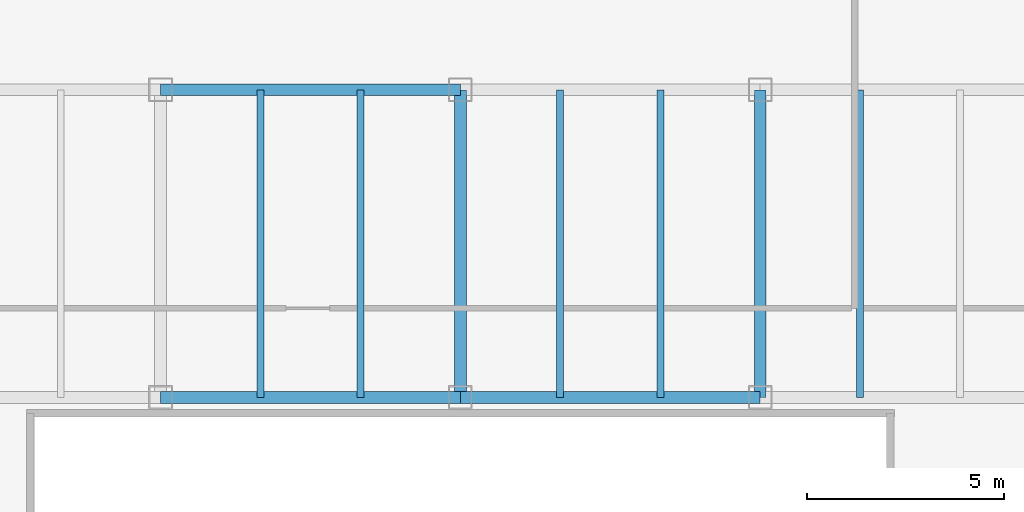
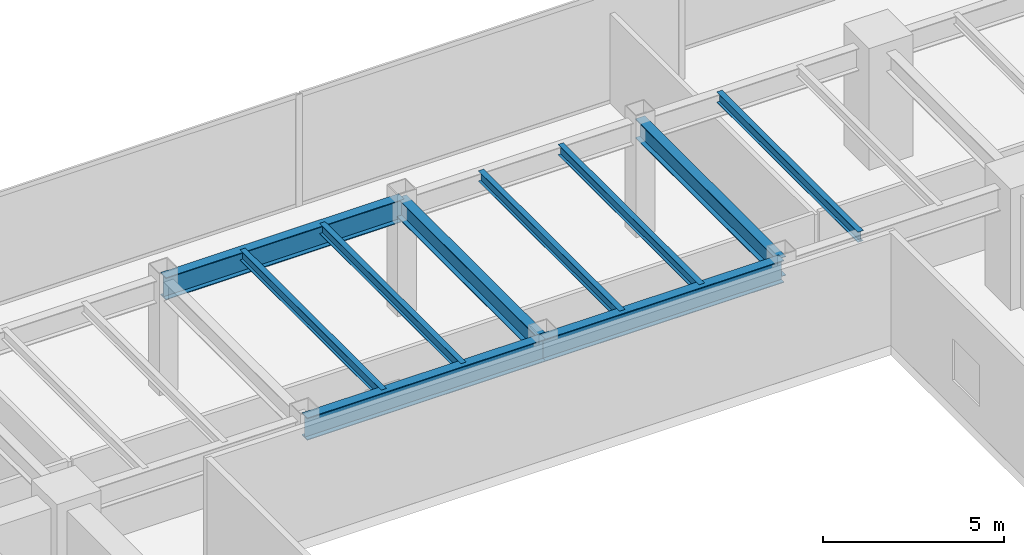
# One storey, part 17 of 35: 10 beams.
"""IFC4 building model written with IfcOpenShell, lengths in metres."""

from ifc_helpers import new_model, si_unit, direction, frame, origin, origin_2d, place, context, subcontext, project, spatial, i_section, extrude, source, transform, mapped, material, material_profile, profile_set, type_object, type_shapes, element, save


model = new_model("IFC4")

# Units and contexts
model_context = context("Model", 3, precision=1e-05, world=origin(), true_north=direction((0.0, 1.0)))
body_context = subcontext(model_context, "Body", "Model", "MODEL_VIEW")
ifc_project = project(units=[si_unit("LENGTHUNIT", "METRE"), si_unit("AREAUNIT", "SQUARE_METRE"), si_unit("VOLUMEUNIT", "CUBIC_METRE"), si_unit("PLANEANGLEUNIT", "RADIAN"), si_unit("MASSUNIT", "GRAM", prefix="KILO")], contexts=[model_context])

# Site, building, storey
site_placement = place(None, origin())
site = spatial("IfcSite", under=ifc_project, at=site_placement, CompositionType="ELEMENT")
building_placement = place(site_placement, origin())
building = spatial("IfcBuilding", under=site, at=building_placement, Name="Haelvirn Gate Laboratories", CompositionType="ELEMENT")
storey_placement = place(building_placement, frame((0.0, 0.0, 82.60009765625)))
storey = spatial("IfcBuildingStorey", under=building, at=storey_placement, Name="L20", CompositionType="ELEMENT", Elevation=82.60009765625)

# Beams
ifc_material = material(Name="Steel SM355", Category="steel")
ifc_material_profile_1 = material_profile(ifc_material, i_section(OverallWidth=0.300048828125, OverallDepth=0.75, WebThickness=0.013916015625, FlangeThickness=0.02392578125, at=origin_2d()), Name="H-750x300x14x24")
ifc_profile_set_1 = profile_set([ifc_material_profile_1], Name="Steel SM355")
beam_type_1 = type_object("IfcBeamType", Name="BM-G-750", PredefinedType="BEAM", material=ifc_profile_set_1)
shared_shape_1 = source(origin(), body_context, "Body", "SweptSolid", [
    extrude(i_section(OverallWidth=0.300048828125, OverallDepth=0.75, WebThickness=0.013916015625, FlangeThickness=0.02392578125, at=origin_2d()), origin(), (0.0, 0.0, 1.0), 7.60009765625),
])
beam_placement = place(storey_placement, frame((37.39990234375, 33.800048828125, 3.40478515625), z_axis=(1.0, 0.0, 0.0), x_axis=(0.0, 1.0, 0.0)))
element("IfcBeam", 1, at=beam_placement, inside=storey, type_object=beam_type_1, Name="L20 Primary Girder Y33.8 (37.4-45.0)", PredefinedType="BEAM", context=body_context, shape_type="MappedRepresentation", body=[
    mapped(shared_shape_1, transform((0.0, 0.0, 0.0), scale=1.0)),
])
shared_shape_2 = source(origin(), body_context, "Body", "SweptSolid", [
    extrude(i_section(OverallWidth=0.300048828125, OverallDepth=0.75, WebThickness=0.013916015625, FlangeThickness=0.02392578125, at=origin_2d()), origin(), (0.0, 0.0, 1.0), 7.599853515625),
])
type_shapes(beam_type_1, [shared_shape_1, shared_shape_2])
for number, where, z_axis, x_axis, name in (
    (2, (29.800048828125, 33.800048828125, 3.40478515625), (1.0, 0.0, 0.0), (0.0, 1.0, 0.0), "L20 Primary Girder Y33.8 (29.8-37.4)"),
    (3, (29.800048828125, 41.60009765625, 3.40478515625), (1.0, 0.0, 0.0), (0.0, 1.0, 0.0), "L20 Primary Girder Y41.6 (29.8-37.4)"),
):
    element("IfcBeam", number, at=place(storey_placement, frame(where, z_axis=z_axis, x_axis=x_axis)), inside=storey, type_object=beam_type_1, Name=name, PredefinedType="BEAM", context=body_context, shape_type="MappedRepresentation", body=[
        mapped(shared_shape_2, transform((0.0, 0.0, 0.0), scale=1.0)),
    ])
ifc_material_profile_2 = material_profile(ifc_material, i_section(OverallWidth=0.175048828125, OverallDepth=0.35009765625, WebThickness=0.007080078125, FlangeThickness=0.010986328125, at=origin_2d()), Name="H-350x175x7x11")
ifc_profile_set_2 = profile_set([ifc_material_profile_2], Name="Steel SM355")
beam_type_2 = type_object("IfcBeamType", Name="BM-J-350", PredefinedType="JOIST", material=ifc_profile_set_2)
shared_shape_3 = source(origin(), body_context, "Body", "SweptSolid", [
    extrude(i_section(OverallWidth=0.175048828125, OverallDepth=0.35009765625, WebThickness=0.007080078125, FlangeThickness=0.010986328125, at=origin_2d()), origin(), (0.0, 0.0, 1.0), 7.800048828125),
])
type_shapes(beam_type_2, [shared_shape_3])
for number, where, z_axis, x_axis, name in (
    (4, (32.330078125, 33.800048828125, 3.60498046875), (0.0, 1.0, 0.0), (-1.0, 0.0, 0.0), "L20 Composite Lab Joist North X32.33"),
    (5, (34.8701171875, 33.800048828125, 3.60498046875), (0.0, 1.0, 0.0), (-1.0, 0.0, 0.0), "L20 Composite Lab Joist North X34.87"),
    (6, (39.929931640625, 33.800048828125, 3.60498046875), (0.0, 1.0, 0.0), (-1.0, 0.0, 0.0), "L20 Composite Lab Joist North X39.93"),
    (7, (42.469970703125, 33.800048828125, 3.60498046875), (0.0, 1.0, 0.0), (-1.0, 0.0, 0.0), "L20 Composite Lab Joist North X42.47"),
    (8, (47.530029296875, 33.800048828125, 3.60498046875), (0.0, 1.0, 0.0), (-1.0, 0.0, 0.0), "L20 Composite Lab Joist North X47.53"),
):
    element("IfcBeam", number, at=place(storey_placement, frame(where, z_axis=z_axis, x_axis=x_axis)), inside=storey, type_object=beam_type_2, Name=name, PredefinedType="JOIST", context=body_context, shape_type="MappedRepresentation", body=[
        mapped(shared_shape_3, transform((0.0, 0.0, 0.0), scale=1.0)),
    ])
ifc_material_profile_3 = material_profile(ifc_material, i_section(OverallWidth=0.300048828125, OverallDepth=0.64990234375, WebThickness=0.012939453125, FlangeThickness=0.02197265625, at=origin_2d()), Name="H-650x300x13x22")
ifc_profile_set_3 = profile_set([ifc_material_profile_3], Name="Steel SM355")
beam_type_3 = type_object("IfcBeamType", Name="BM-G-650", PredefinedType="BEAM", material=ifc_profile_set_3)
shared_shape_4 = source(origin(), body_context, "Body", "SweptSolid", [
    extrude(i_section(OverallWidth=0.300048828125, OverallDepth=0.64990234375, WebThickness=0.012939453125, FlangeThickness=0.02197265625, at=origin_2d()), origin(), (0.0, 0.0, 1.0), 7.800048828125),
])
type_shapes(beam_type_3, [shared_shape_4])
for number, where, z_axis, x_axis, name in (
    (9, (37.39990234375, 33.800048828125, 3.454833984375), (0.0, 1.0, 0.0), (-1.0, 0.0, 0.0), "L20 Frame Girder X37.4 (33.8-41.6)"),
    (10, (45.0, 33.800048828125, 3.454833984375), (0.0, 1.0, 0.0), (-1.0, 0.0, 0.0), "L20 Frame Girder X45.0 (33.8-41.6)"),
):
    element("IfcBeam", number, at=place(storey_placement, frame(where, z_axis=z_axis, x_axis=x_axis)), inside=storey, type_object=beam_type_3, Name=name, PredefinedType="BEAM", context=body_context, shape_type="MappedRepresentation", body=[
        mapped(shared_shape_4, transform((0.0, 0.0, 0.0), scale=1.0)),
    ])

save(model, "model.ifc")
